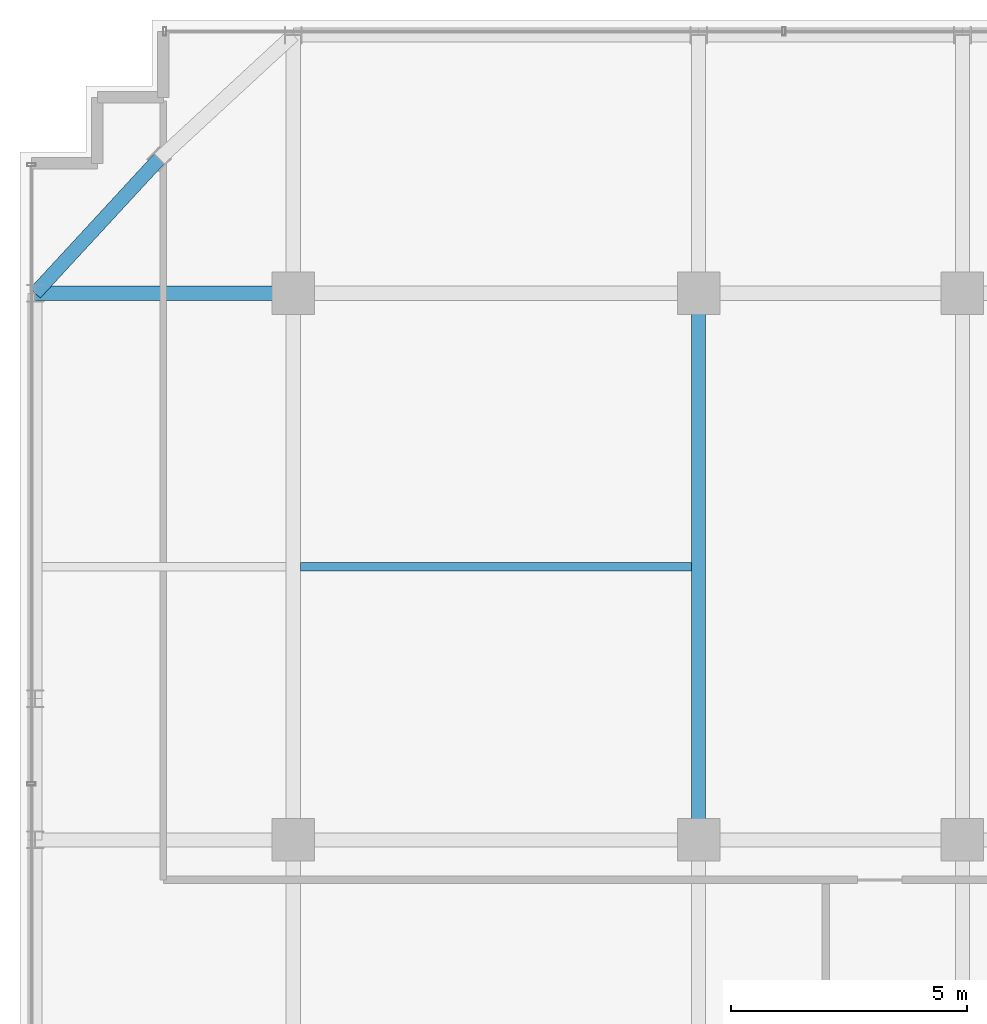
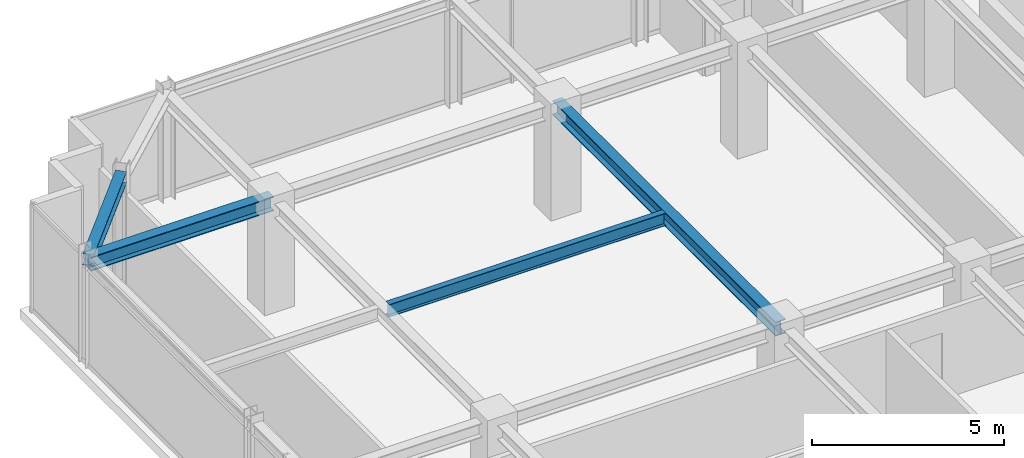
# One storey, part 16 of 33: 4 beams.
"""IFC4 building model written with IfcOpenShell, lengths in metres."""

from ifc_helpers import new_model, si_unit, direction, frame, origin, origin_2d, place, context, subcontext, project, spatial, i_section, extrude, source, transform, mapped, material, material_profile, profile_set, type_object, element, save


model = new_model("IFC4")

# Units and contexts
model_context = context("Model", 3, precision=1e-05, world=origin(), true_north=direction((0.0, 1.0)))
body_context = subcontext(model_context, "Body", "Model", "MODEL_VIEW")
ifc_project = project(units=[si_unit("LENGTHUNIT", "METRE"), si_unit("AREAUNIT", "SQUARE_METRE"), si_unit("VOLUMEUNIT", "CUBIC_METRE"), si_unit("PLANEANGLEUNIT", "RADIAN"), si_unit("MASSUNIT", "GRAM", prefix="KILO")], contexts=[model_context])

# Site, building, storey
site_placement = place(None, origin())
site = spatial("IfcSite", under=ifc_project, at=site_placement, CompositionType="ELEMENT")
building_placement = place(site_placement, origin())
building = spatial("IfcBuilding", under=site, at=building_placement, Name="Nahalor Promenade Grand Hotel", CompositionType="ELEMENT")
storey_placement = place(building_placement, frame((0.0, 0.0, 270.050048828125)))
storey = spatial("IfcBuildingStorey", under=building, at=storey_placement, Name="L69", CompositionType="ELEMENT", Elevation=270.050048828125)

# Beams
ifc_material = material(Name="Steel S355JR", Category="steel")
ifc_material_profile_1 = material_profile(ifc_material, i_section(OverallWidth=0.3, OverallDepth=0.45, WebThickness=0.014, FlangeThickness=0.026, at=origin_2d()), Name="HEB 450")
ifc_profile_set_1 = profile_set([ifc_material_profile_1], Name="Steel S355JR")
beam_type_1 = type_object("IfcBeamType", Name="Beam-Girder-HEB450", PredefinedType="BEAM", material=ifc_profile_set_1)
shared_shape_1 = source(origin(), body_context, "Body", "SweptSolid", [
    extrude(i_section(OverallWidth=0.3, OverallDepth=0.45, WebThickness=0.014, FlangeThickness=0.026, at=origin_2d()), origin(), (0.0, 0.0, 1.0), 11.60009765625),
])
beam_1_placement = place(storey_placement, frame((-8.39990234375, 5.39990234375, 3.224853515625), z_axis=(0.0, 1.0, 0.0), x_axis=(-1.0, 0.0, 0.0)))
element("IfcBeam", 1, at=beam_1_placement, inside=storey, type_object=beam_type_1, Name="BM-L69-GY-1-3", PredefinedType="BEAM", context=body_context, shape_type="MappedRepresentation", body=[
    mapped(shared_shape_1, transform((0.0, 0.0, 0.0), scale=1.0)),
])
ifc_material_profile_2 = material_profile(ifc_material, i_section(OverallWidth=0.18, OverallDepth=0.4, WebThickness=0.0086, FlangeThickness=0.0135, at=origin_2d()), Name="IPE 400")
ifc_profile_set_2 = profile_set([ifc_material_profile_2], Name="Steel S355JR")
beam_type_2 = type_object("IfcBeamType", Name="Beam-Joist-IPE400", PredefinedType="JOIST", material=ifc_profile_set_2)
shared_shape_2 = source(origin(), body_context, "Body", "SweptSolid", [
    extrude(i_section(OverallWidth=0.18, OverallDepth=0.4, WebThickness=0.0086, FlangeThickness=0.0135, at=origin_2d()), origin(), (0.0, 0.0, 1.0), 8.300048828125),
])
beam_2_placement = place(storey_placement, frame((-16.85009765625, 11.199951171875, 3.25), z_axis=(1.0, 0.0, 0.0), x_axis=(0.0, 1.0, 0.0)))
element("IfcBeam", 2, at=beam_2_placement, inside=storey, type_object=beam_type_2, Name="BM-L69-JSW-1-1", PredefinedType="JOIST", context=body_context, shape_type="MappedRepresentation", body=[
    mapped(shared_shape_2, transform((0.0, 0.0, 0.0), scale=1.0)),
])
shared_shape_3 = source(origin(), body_context, "Body", "SweptSolid", [
    extrude(i_section(OverallWidth=0.3, OverallDepth=0.45, WebThickness=0.014, FlangeThickness=0.026, at=origin_2d()), origin(), (0.0, 0.0, 1.0), 5.47998046875),
])
beam_3_placement = place(storey_placement, frame((-22.47998046875, 17.0, 3.224853515625), z_axis=(1.0, 0.0, 0.0), x_axis=(0.0, 1.0, 0.0)))
element("IfcBeam", 3, at=beam_3_placement, inside=storey, type_object=beam_type_1, Name="BM-L69-GX-3-0", PredefinedType="BEAM", context=body_context, shape_type="MappedRepresentation", body=[
    mapped(shared_shape_3, transform((0.0, 0.0, 0.0), scale=1.0)),
])
ifc_material_profile_3 = material_profile(ifc_material, i_section(OverallWidth=0.3, OverallDepth=0.36, WebThickness=0.0125, FlangeThickness=0.0225, at=origin_2d()), Name="HEB 360")
ifc_profile_set_3 = profile_set([ifc_material_profile_3], Name="Steel S355JR")
beam_type_3 = type_object("IfcBeamType", Name="Beam-Spandrel-HEB360", PredefinedType="SPANDREL", material=ifc_profile_set_3)
shared_shape_4 = source(origin(), body_context, "Body", "SweptSolid", [
    extrude(i_section(OverallWidth=0.3, OverallDepth=0.36, WebThickness=0.0125, FlangeThickness=0.0225, at=origin_2d()), origin(), (0.0, 0.0, 1.0), 3.878173828125),
])
beam_4_placement = place(storey_placement, frame((-19.85009765625, 19.85009765625, 3.27001953125), z_axis=(-0.678144125843, -0.73492893846, 0.0), x_axis=(0.73492893846, -0.678144125843, 0.0)))
element("IfcBeam", 4, at=beam_4_placement, inside=storey, type_object=beam_type_3, Name="BM-L69-SPC-NW-2", PredefinedType="SPANDREL", context=body_context, shape_type="MappedRepresentation", body=[
    mapped(shared_shape_4, transform((0.0, 0.0, 0.0), scale=1.0)),
])

save(model, "model.ifc")
